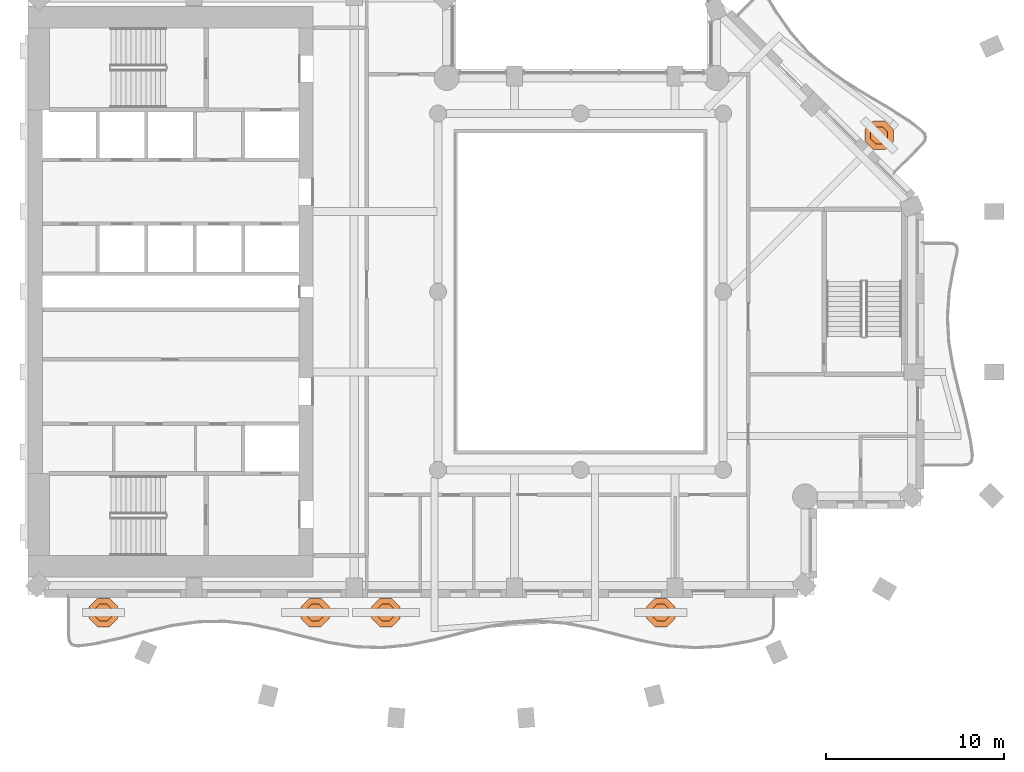
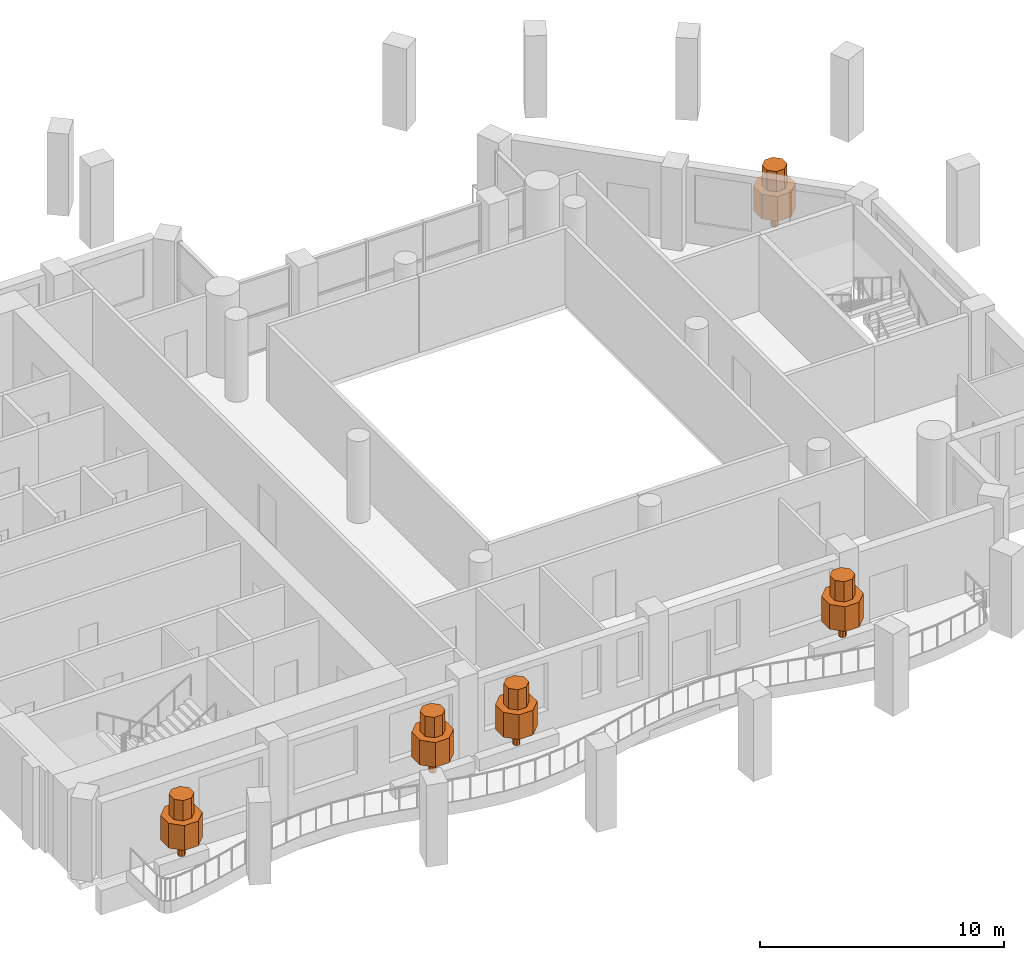
# One storey, part 14 of 14: 5 geographic elements.
"""IFC4 building model written with IfcOpenShell, lengths in metres."""

from ifc_helpers import new_model, si_unit, direction, frame, origin, place, context, subcontext, project, spatial, polyline, outline, extrude, material, type_object, element, save


model = new_model("IFC4")

# Units and contexts
model_context = context("Model", 3, precision=1e-05, world=origin(), true_north=direction((0.0, 1.0)))
body_context = subcontext(model_context, "Body", "Model", "MODEL_VIEW")
ifc_project = project(units=[si_unit("LENGTHUNIT", "METRE"), si_unit("AREAUNIT", "SQUARE_METRE"), si_unit("VOLUMEUNIT", "CUBIC_METRE"), si_unit("PLANEANGLEUNIT", "RADIAN"), si_unit("MASSUNIT", "GRAM", prefix="KILO")], contexts=[model_context])

# Site, building, storey
site_placement = place(None, origin())
site = spatial("IfcSite", under=ifc_project, at=site_placement, CompositionType="ELEMENT")
building_placement = place(site_placement, origin())
building = spatial("IfcBuilding", under=site, at=building_placement, Name="Cypress Arch Tower", CompositionType="ELEMENT")
storey_placement = place(building_placement, frame((0.0, 0.0, 222.0)))
storey = spatial("IfcBuildingStorey", under=building, at=storey_placement, Name="L49", CompositionType="ELEMENT", Elevation=222.0)

# Geographic elements
ifc_material = material(Name="Foliage and planting")
geographic_element_type = type_object("IfcGeographicElementType", Name="Balcony tree TR", PredefinedType="USERDEFINED", material=ifc_material)
for number, where, z_axis, x_axis, name in (
    (1, (-25.77001953125, -18.0, 0.60009765625), (0.0, 0.0, 1.0), (1.0, 0.0, 0.0), "Balcony tree L49-B01.1"),
    (2, (-13.889892578125, -18.0, 0.60009765625), (0.0, 0.0, 1.0), (1.0, 0.0, 0.0), "Balcony tree L49-B01.2"),
    (3, (-9.929931640625, -18.0, 0.60009765625), (0.0, 0.0, 1.0), (1.0, 0.0, 0.0), "Balcony tree L49-B01.3"),
    (4, (5.50244140625, -18.0, 0.60009765625), (0.0, 0.0, 1.0), (1.0, 0.0, 0.0), "Balcony tree L49-B01.4"),
    (5, (17.746337890625, 8.767822265625, 0.60009765625), (0.0, 0.0, 1.0), (1.0, 0.0, 0.0), "Balcony tree L49-B05.1"),
):
    element("IfcGeographicElement", number, at=place(storey_placement, frame(where, z_axis=z_axis, x_axis=x_axis)), inside=storey, type_object=geographic_element_type, Name=name, ObjectType="TREE", PredefinedType="USERDEFINED", context=body_context, shape_type="SweptSolid", body=[
        extrude(outline(polyline([(0.14990234375, 0.06201171875), (0.06201171875, 0.14990234375), (-0.06201171875, 0.14990234375), (-0.14990234375, 0.06201171875), (-0.14990234375, -0.06201171875), (-0.06201171875, -0.14990234375), (0.06201171875, -0.14990234375), (0.14990234375, -0.06201171875), (0.14990234375, 0.06201171875)])), origin(), (0.0, 0.0, 1.0), 0.89990234375),
        extrude(outline(polyline([(0.800048828125, 0.331298828125), (0.331298828125, 0.800048828125), (-0.331298828125, 0.800048828125), (-0.800048828125, 0.331298828125), (-0.800048828125, -0.331298828125), (-0.331298828125, -0.800048828125), (0.331298828125, -0.800048828125), (0.800048828125, -0.331298828125), (0.800048828125, 0.331298828125)])), frame((0.0, 0.0, 0.800048828125)), (0.0, 0.0, 1.0), 1.237548828125),
        extrude(outline(polyline([(0.47998046875, 0.19873046875), (0.19873046875, 0.47998046875), (-0.19873046875, 0.47998046875), (-0.47998046875, 0.19873046875), (-0.47998046875, -0.19873046875), (-0.19873046875, -0.47998046875), (0.19873046875, -0.47998046875), (0.47998046875, -0.19873046875), (0.47998046875, 0.19873046875)])), frame((0.0, 0.0, 2.03759765625)), (0.0, 0.0, 1.0), 1.012451171875),
    ])

save(model, "model.ifc")
